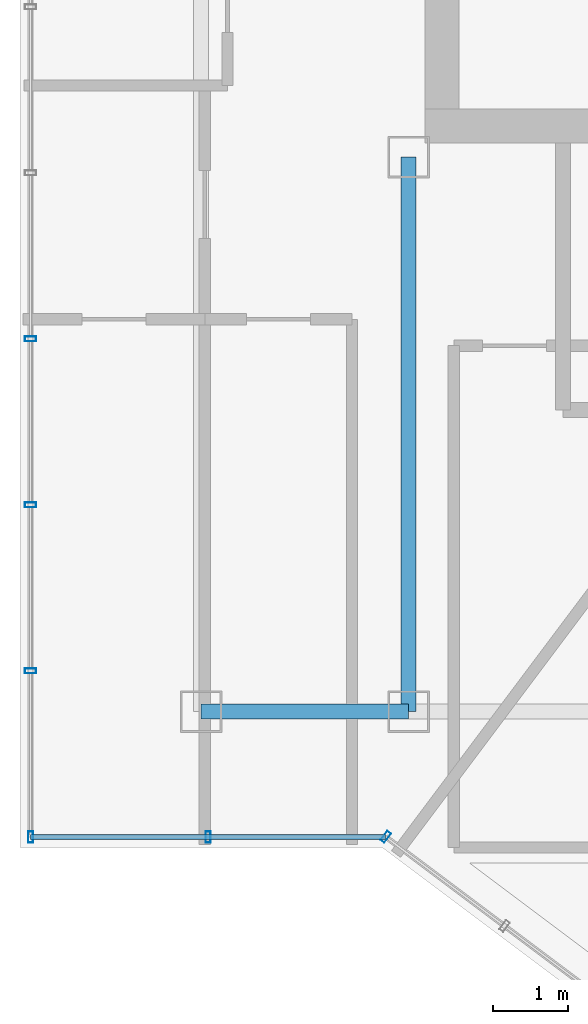
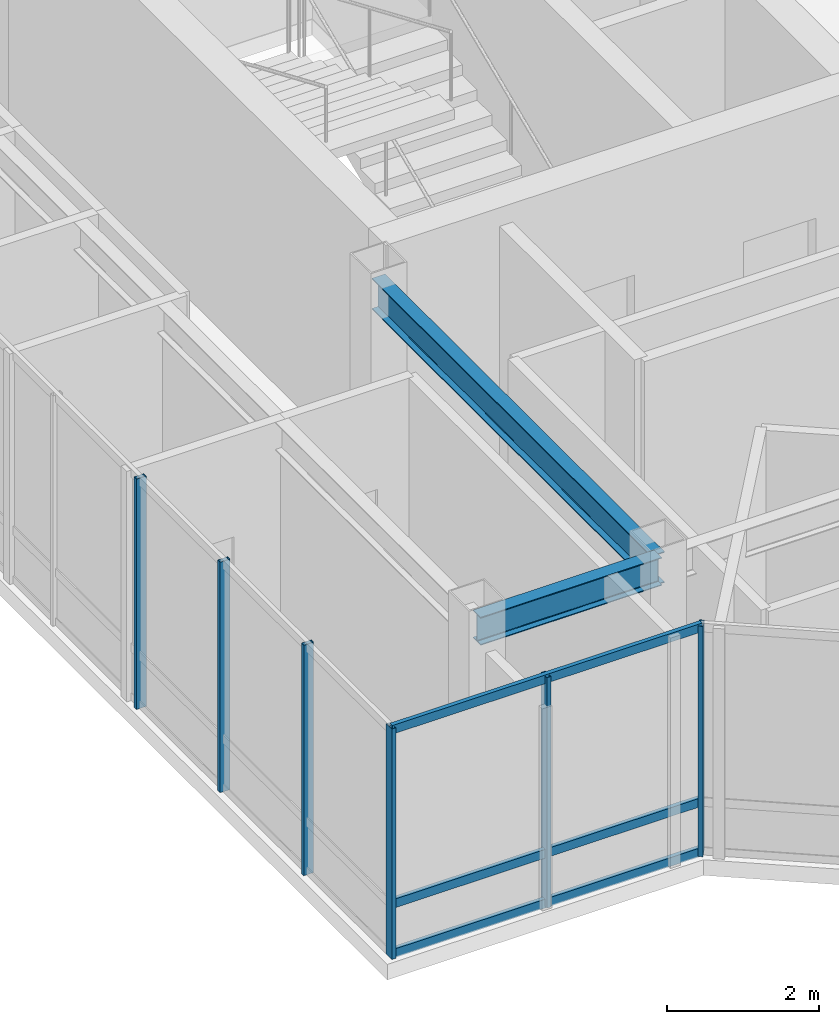
# One storey, part 3 of 24: 9 members, 2 beams, 3 elements without a shape of their own.
"""IFC4 building model written with IfcOpenShell, lengths in metres."""

from ifc_helpers import new_model, si_unit, direction, frame, origin, origin_2d, place, context, subcontext, project, spatial, hollow_rectangle, i_section, extrude, material, layer, layer_set, material_profile, profile_set, type_object, element, aggregate, save


model = new_model("IFC4")

# Units and contexts
model_context = context("Model", 3, precision=1e-05, world=origin(), true_north=direction((0.0, 1.0)))
body_context = subcontext(model_context, "Body", "Model", "MODEL_VIEW")
ifc_project = project(units=[si_unit("LENGTHUNIT", "METRE"), si_unit("AREAUNIT", "SQUARE_METRE"), si_unit("VOLUMEUNIT", "CUBIC_METRE"), si_unit("PLANEANGLEUNIT", "RADIAN"), si_unit("MASSUNIT", "GRAM", prefix="KILO")], contexts=[model_context])

# Site, building, storey
site_placement = place(None, origin())
site = spatial("IfcSite", under=ifc_project, at=site_placement, CompositionType="ELEMENT")
building_placement = place(site_placement, origin())
building = spatial("IfcBuilding", under=site, at=building_placement, Name="Hatsunagi Terrace Concourse", CompositionType="ELEMENT")
storey_placement = place(building_placement, frame((0.0, 0.0, 285.949951171875)))
storey = spatial("IfcBuildingStorey", under=building, at=storey_placement, Name="L75", CompositionType="ELEMENT", Elevation=285.949951171875)

# Beam
ifc_material_1 = material(Name="Steel SN490B", Category="steel")
ifc_material_profile_1 = material_profile(ifc_material_1, i_section(OverallWidth=0.199951171875, OverallDepth=0.5, WebThickness=0.010009765625, FlangeThickness=0.01611328125, FilletRadius=0.01611328125, at=origin_2d()), Name="H-500x200x10x16")
ifc_profile_set_1 = profile_set([ifc_material_profile_1], Name="Steel SN490B")
beam_type_1 = type_object("IfcBeamType", Name="CrownFloorGirder_H_500x200", PredefinedType="BEAM", material=ifc_profile_set_1)
beam_1_placement = place(storey_placement, frame((25.550048828125, 25.199951171875, 3.449951171875), z_axis=(0.0, 1.0, 0.0), x_axis=(-1.0, 0.0, 0.0)))
element("IfcBeam", 1, at=beam_1_placement, inside=storey, type_object=beam_type_1, Name="Beam G-07 BM-L75-K1CA", PredefinedType="BEAM", context=body_context, shape_type="SweptSolid", body=[
    extrude(i_section(OverallWidth=0.199951171875, OverallDepth=0.5, WebThickness=0.010009765625, FlangeThickness=0.01611328125, FilletRadius=0.01611328125, at=origin_2d()), origin(), (0.0, 0.0, 1.0), 7.35009765625),
])

# Curtain wall, member
ifc_material_2 = material(Name="Anodised Aluminium Alloy 6063-T5", Category="aluminium")
ifc_layer = layer(ifc_material_2, 0.199951171875)
ifc_layer_set = layer_set([ifc_layer], Name="CrownWintergarden_CW06")
curtain_wall_type = type_object("IfcCurtainWallType", Name="CrownWintergarden_CW06", PredefinedType="NOTDEFINED", material=ifc_layer_set)
curtain_wall_1_placement = place(storey_placement, origin())
curtain_wall_1 = element("IfcCurtainWall", 2, at=curtain_wall_1_placement, inside=storey, type_object=curtain_wall_type, Name="Unitised Curtain Wall CW-06 CW-L75-05", PredefinedType="NOTDEFINED")
ifc_material_3 = material(Name="Anodised Aluminium Alloy 6063-T5", Category="aluminium")
ifc_material_profile_2 = material_profile(ifc_material_3, hollow_rectangle(XDim=0.06494140625, YDim=0.14990234375, WallThickness=0.00390625, at=origin_2d()), Name="ALU-MUL-150x65x4")
ifc_profile_set_2 = profile_set([ifc_material_profile_2], Name="Anodised Aluminium Alloy 6063-T5")
member_type_1 = type_object("IfcMemberType", Name="CurtainWallMullion_Crown_150x65", PredefinedType="MULLION", material=ifc_profile_set_2)
member_1_placement = place(storey_placement, frame((25.2470703125, 23.5400390625, 0.0), z_axis=(0.0, 0.0, 1.0), x_axis=(-0.80000835285, 0.599988862705, 0.0)))
member_1 = element("IfcMember", 3, at=member_1_placement, type_object=member_type_1, Name="Curtain Wall Mullion MUL-03", PredefinedType="MULLION", context=body_context, shape_type="SweptSolid", body=[
    extrude(hollow_rectangle(XDim=0.06494140625, YDim=0.14990234375, WallThickness=0.00390625, at=origin_2d()), origin(), (0.0, 0.0, 1.0), 3.699951171875),
])
aggregate(curtain_wall_1, [member_1])

# Curtain wall, members
curtain_wall_2_placement = place(storey_placement, origin())
curtain_wall_2 = element("IfcCurtainWall", 4, at=curtain_wall_2_placement, inside=storey, type_object=curtain_wall_type, Name="Unitised Curtain Wall CW-06 CW-L75-06", PredefinedType="NOTDEFINED")
member_2_placement = place(storey_placement, frame((22.89306640625, 23.5400390625, 0.0), z_axis=(0.0, 0.0, 1.0), x_axis=(-1.0, 0.0, 0.0)))
member_2 = element("IfcMember", 5, at=member_2_placement, type_object=member_type_1, Name="Curtain Wall Mullion MUL-03", PredefinedType="MULLION", context=body_context, shape_type="SweptSolid", body=[
    extrude(hollow_rectangle(XDim=0.06494140625, YDim=0.14990234375, WallThickness=0.00390625, at=origin_2d()), origin(), (0.0, 0.0, 1.0), 3.699951171875),
])
member_3_placement = place(storey_placement, frame((20.5400390625, 23.5400390625, 0.0), z_axis=(0.0, 0.0, 1.0), x_axis=(-1.0, 0.0, 0.0)))
member_3 = element("IfcMember", 6, at=member_3_placement, type_object=member_type_1, Name="Curtain Wall Mullion MUL-03", PredefinedType="MULLION", context=body_context, shape_type="SweptSolid", body=[
    extrude(hollow_rectangle(XDim=0.06494140625, YDim=0.14990234375, WallThickness=0.00390625, at=origin_2d()), origin(), (0.0, 0.0, 1.0), 3.699951171875),
])

curtain_wall_3_placement = place(storey_placement, origin())
curtain_wall_3 = element("IfcCurtainWall", 7, at=curtain_wall_3_placement, inside=storey, type_object=curtain_wall_type, Name="Unitised Curtain Wall CW-06 CW-L75-07", PredefinedType="NOTDEFINED")
member_4_placement = place(storey_placement, frame((20.5400390625, 25.739990234375, 0.0), z_axis=(0.0, 0.0, 1.0), x_axis=(0.0, 1.0, 0.0)))
member_4 = element("IfcMember", 8, at=member_4_placement, type_object=member_type_1, Name="Curtain Wall Mullion MUL-03", PredefinedType="MULLION", context=body_context, shape_type="SweptSolid", body=[
    extrude(hollow_rectangle(XDim=0.06494140625, YDim=0.14990234375, WallThickness=0.00390625, at=origin_2d()), origin(), (0.0, 0.0, 1.0), 3.699951171875),
])
member_5_placement = place(storey_placement, frame((20.5400390625, 27.93994140625, 0.0), z_axis=(0.0, 0.0, 1.0), x_axis=(0.0, 1.0, 0.0)))
member_5 = element("IfcMember", 9, at=member_5_placement, type_object=member_type_1, Name="Curtain Wall Mullion MUL-03", PredefinedType="MULLION", context=body_context, shape_type="SweptSolid", body=[
    extrude(hollow_rectangle(XDim=0.06494140625, YDim=0.14990234375, WallThickness=0.00390625, at=origin_2d()), origin(), (0.0, 0.0, 1.0), 3.699951171875),
])
member_6_placement = place(storey_placement, frame((20.5400390625, 30.14111328125, 0.0), z_axis=(0.0, 0.0, 1.0), x_axis=(0.0, 1.0, 0.0)))
member_6 = element("IfcMember", 10, at=member_6_placement, type_object=member_type_1, Name="Curtain Wall Mullion MUL-03", PredefinedType="MULLION", context=body_context, shape_type="SweptSolid", body=[
    extrude(hollow_rectangle(XDim=0.06494140625, YDim=0.14990234375, WallThickness=0.00390625, at=origin_2d()), origin(), (0.0, 0.0, 1.0), 3.699951171875),
])
aggregate(curtain_wall_3, [member_4, member_5, member_6])

# Member
ifc_material_4 = material(Name="Anodised Aluminium Alloy 6063-T5", Category="aluminium")
ifc_material_profile_3 = material_profile(ifc_material_4, hollow_rectangle(XDim=0.06494140625, YDim=0.139892578125, WallThickness=0.00390625, at=origin_2d()), Name="ALU-TRN-140x65x4")
ifc_profile_set_3 = profile_set([ifc_material_profile_3], Name="Anodised Aluminium Alloy 6063-T5")
member_type_2 = type_object("IfcMemberType", Name="CurtainWallTransom_140x65", PredefinedType="USERDEFINED", material=ifc_profile_set_3)
member_7_placement = place(storey_placement, frame((25.2470703125, 23.5400390625, 0.050048828125), z_axis=(-1.0, 0.0, 0.0), x_axis=(0.0, -1.0, 0.0)))
member_7 = element("IfcMember", 11, at=member_7_placement, type_object=member_type_2, Name="Curtain Wall Transom TRN-02", ObjectType="TRANSOM", PredefinedType="USERDEFINED", context=body_context, shape_type="SweptSolid", body=[
    extrude(hollow_rectangle(XDim=0.06494140625, YDim=0.139892578125, WallThickness=0.00390625, at=origin_2d()), origin(), (0.0, 0.0, 1.0), 4.70703125),
])

member_8_placement = place(storey_placement, frame((25.2470703125, 23.5400390625, 0.85009765625), z_axis=(-1.0, 0.0, 0.0), x_axis=(0.0, -1.0, 0.0)))
member_8 = element("IfcMember", 12, at=member_8_placement, type_object=member_type_2, Name="Curtain Wall Transom TRN-02", ObjectType="TRANSOM", PredefinedType="USERDEFINED", context=body_context, shape_type="SweptSolid", body=[
    extrude(hollow_rectangle(XDim=0.06494140625, YDim=0.139892578125, WallThickness=0.00390625, at=origin_2d()), origin(), (0.0, 0.0, 1.0), 4.70703125),
])

member_9_placement = place(storey_placement, frame((25.2470703125, 23.5400390625, 3.650146484375), z_axis=(-1.0, 0.0, 0.0), x_axis=(0.0, -1.0, 0.0)))
member_9 = element("IfcMember", 13, at=member_9_placement, type_object=member_type_2, Name="Curtain Wall Transom TRN-02", ObjectType="TRANSOM", PredefinedType="USERDEFINED", context=body_context, shape_type="SweptSolid", body=[
    extrude(hollow_rectangle(XDim=0.06494140625, YDim=0.139892578125, WallThickness=0.00390625, at=origin_2d()), origin(), (0.0, 0.0, 1.0), 4.70703125),
])

aggregate(curtain_wall_2, [member_2, member_3, member_7, member_8, member_9])

# Beam
ifc_material_5 = material(Name="Steel SN490B", Category="steel")
ifc_material_profile_4 = material_profile(ifc_material_5, i_section(OverallWidth=0.199951171875, OverallDepth=0.449951171875, WebThickness=0.009033203125, FlangeThickness=0.013916015625, FilletRadius=0.01611328125, at=origin_2d()), Name="H-450x200x9x14")
ifc_profile_set_4 = profile_set([ifc_material_profile_4], Name="Steel SN490B")
beam_type_2 = type_object("IfcBeamType", Name="PerimeterSpandrel_H_450x200", PredefinedType="SPANDREL", material=ifc_profile_set_4)
beam_2_placement = place(storey_placement, frame((22.800048828125, 25.199951171875, 3.47509765625), z_axis=(1.0, 0.0, 0.0), x_axis=(0.0, 1.0, 0.0)))
element("IfcBeam", 14, at=beam_2_placement, inside=storey, type_object=beam_type_2, Name="Beam SP-02 BM-L75-WS-22", PredefinedType="SPANDREL", context=body_context, shape_type="SweptSolid", body=[
    extrude(i_section(OverallWidth=0.199951171875, OverallDepth=0.449951171875, WebThickness=0.009033203125, FlangeThickness=0.013916015625, FilletRadius=0.01611328125, at=origin_2d()), origin(), (0.0, 0.0, 1.0), 2.75),
])

save(model, "model.ifc")
